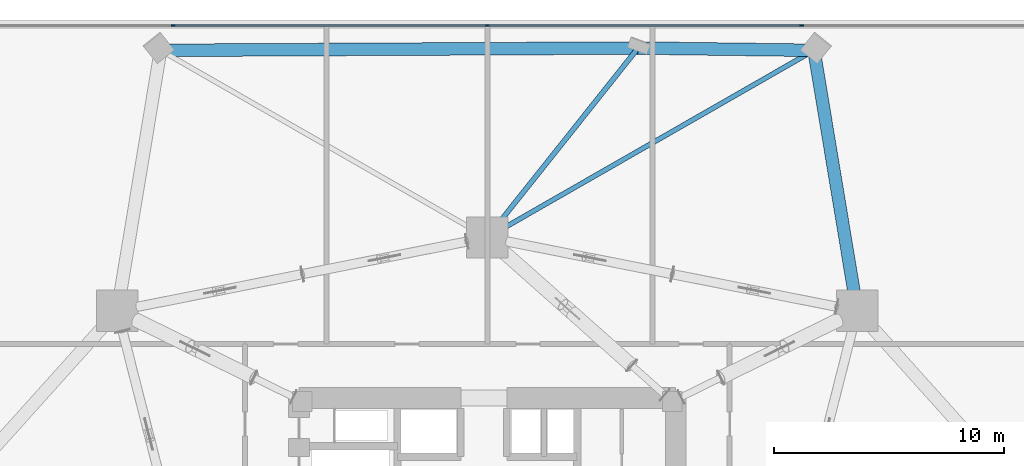
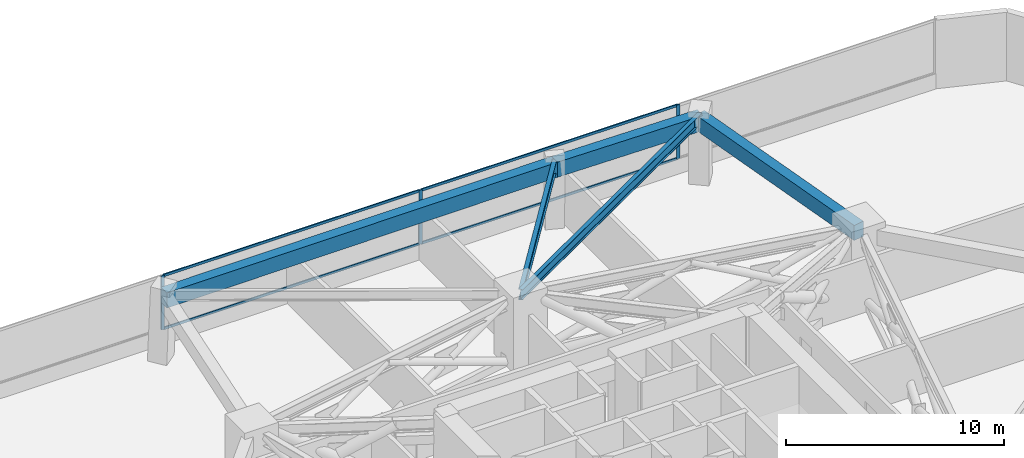
# One storey, part 13 of 20: 7 members, 5 beams, 1 element without a shape of its own.
"""IFC4 building model written with IfcOpenShell, lengths in metres."""

import ifcopenshell
import ifcopenshell.guid

model = None  # the IFC model being written
_history = None  # IfcOwnerHistory: only IFC2X3 demands one
_inside = {}  # id of a spatial element -> (the spatial element, [elements in it])
_under = {}  # id of a project, library or spatial element -> (it, [spatial elements below it])
_declared = {}  # id of a project -> (the project, [libraries it declares])
_typed = {}  # id of a type object -> (the type object, [elements of that type])
_made_of = {}  # id of a material, layer set ... -> (it, [elements and type objects made of it])


def new_model(schema):
    """Start an empty IFC model of exactly this schema.

    Asked for "IFC4X3", IfcOpenShell would pick the latest addendum, in which some entities
    have other attributes; the version numbers below select the first issue.
    IFC2X3 requires an IfcOwnerHistory on every rooted entity: one is made here for all.
    """
    global model, _history
    if schema == "IFC4X3":
        model = ifcopenshell.file(schema_version=(4, 3, 0, 0))
    else:
        model = ifcopenshell.file(schema=schema)
    _inside.clear()
    _under.clear()
    _declared.clear()
    _typed.clear()
    _made_of.clear()
    _history = None
    if model.schema == "IFC2X3":
        org = make("IfcOrganization", Name="unknown")
        user = make(
            "IfcPersonAndOrganization",
            ThePerson=make("IfcPerson", FamilyName="unknown"),
            TheOrganization=org,
        )
        app = make(
            "IfcApplication",
            ApplicationDeveloper=org,
            Version="unknown",
            ApplicationFullName="unknown",
            ApplicationIdentifier="unknown",
        )
        _history = make(
            "IfcOwnerHistory",
            OwningUser=user,
            OwningApplication=app,
            ChangeAction="ADDED",
            CreationDate=0,
        )
    return model


def make(cls, **values):
    """One entity of the class cls with the attributes given. An attribute that is None is left unset."""
    return model.create_entity(
        cls, **{name: value for name, value in values.items() if value is not None}
    )


def rooted(cls, **values):
    """An entity with a GlobalId (a new one), such as an element, a storey or a relation."""
    return make(cls, GlobalId=ifcopenshell.guid.new(), OwnerHistory=_history, **values)


def si_unit(unit_type, name, prefix=None):
    """IfcSIUnit, for example si_unit("LENGTHUNIT", "METRE", prefix="MILLI")."""
    return make("IfcSIUnit", UnitType=unit_type, Prefix=prefix, Name=name)


def assignment(units):
    """IfcUnitAssignment: the units of a project."""
    return None if units is None else make("IfcUnitAssignment", Units=units)


def point(xyz):
    """IfcCartesianPoint."""
    return None if xyz is None else make("IfcCartesianPoint", Coordinates=xyz)


def direction(xyz):
    """IfcDirection."""
    return None if xyz is None else make("IfcDirection", DirectionRatios=xyz)


def frame(location, z_axis=None, x_axis=None):
    """IfcAxis2Placement3D, a coordinate frame: its origin and axes. An axis left out is left unset."""
    return make(
        "IfcAxis2Placement3D",
        Location=point(location),
        Axis=direction(z_axis),
        RefDirection=direction(x_axis),
    )


def frame_2d(location, x_axis=None):
    """IfcAxis2Placement2D, a coordinate frame in the plane: its origin and x axis."""
    return make(
        "IfcAxis2Placement2D", Location=point(location), RefDirection=direction(x_axis)
    )


def origin():
    """The frame at (0, 0, 0) with its axes left unset."""
    return frame((0.0, 0.0, 0.0))


def origin_2d():
    """The frame at (0, 0) in the plane with its x axis left unset."""
    return frame_2d((0.0, 0.0))


def place(relative_to, where):
    """IfcLocalPlacement: puts the frame where relative to a parent placement (None: the world)."""
    return make(
        "IfcLocalPlacement", PlacementRelTo=relative_to, RelativePlacement=where
    )


def context(
    kind, dimensions, precision=None, world=None, true_north=None, identifier=None
):
    """IfcGeometricRepresentationContext, for example the 3D "Model" context."""
    return make(
        "IfcGeometricRepresentationContext",
        ContextIdentifier=identifier,
        ContextType=kind,
        CoordinateSpaceDimension=dimensions,
        Precision=precision,
        WorldCoordinateSystem=world,
        TrueNorth=true_north,
    )


def subcontext(parent, identifier, kind, view, scale=None):
    """IfcGeometricRepresentationSubContext, for example "Body" below "Model"."""
    return make(
        "IfcGeometricRepresentationSubContext",
        ContextIdentifier=identifier,
        ContextType=kind,
        ParentContext=parent,
        TargetScale=scale,
        TargetView=view,
    )


def project(units=None, contexts=None):
    """IfcProject with its units and contexts."""
    return rooted(
        "IfcProject",
        Name="project",
        RepresentationContexts=contexts,
        UnitsInContext=assignment(units),
    )


def spatial(cls, under=None, at=None, **own):
    """A site, building, storey or space (cls), placed at a placement, below another one or the project."""
    s = rooted(cls, ObjectPlacement=at, **own)
    if under is not None:
        _under.setdefault(under.id(), (under, []))[1].append(s)
    return s


def profile(cls, at=None, kind="AREA", **sizes):
    """A parametric profile (cls). Its sizes go by their IFC names, for example OverallWidth=200.0."""
    return make(cls, ProfileType=kind, Position=at, **sizes)


def rectangle(**sizes):
    """IfcRectangleProfileDef."""
    return profile("IfcRectangleProfileDef", **sizes)


def i_section(**sizes):
    """IfcIShapeProfileDef."""
    return profile("IfcIShapeProfileDef", **sizes)


def extrude(swept, where, along, depth):
    """IfcExtrudedAreaSolid: the profile swept, set in the frame where, extruded along a direction by depth."""
    return make(
        "IfcExtrudedAreaSolid",
        SweptArea=swept,
        Position=where,
        ExtrudedDirection=direction(along),
        Depth=depth,
    )


def shape(context_of_items, identifier, shape_type, items):
    """IfcShapeRepresentation: the items that make up one representation, for example the "Body"."""
    return make(
        "IfcShapeRepresentation",
        ContextOfItems=context_of_items,
        RepresentationIdentifier=identifier,
        RepresentationType=shape_type,
        Items=items,
    )


def material(Name=None, Category=None):
    """IfcMaterial."""
    return make("IfcMaterial", Name=Name, Category=Category)


def layer(
    of_material, thickness, ventilated=None, Name=None, Category=None, Priority=None
):
    """IfcMaterialLayer: one layer of a wall or slab, of a material (None: an air gap)."""
    return make(
        "IfcMaterialLayer",
        Material=of_material,
        LayerThickness=thickness,
        IsVentilated=ventilated,
        Name=Name,
        Category=Category,
        Priority=Priority,
    )


def layer_set(layers, Name=None):
    """IfcMaterialLayerSet."""
    return make("IfcMaterialLayerSet", MaterialLayers=layers, LayerSetName=Name)


def material_profile(
    of_material, cross_section, Name=None, Category=None, Priority=None
):
    """IfcMaterialProfile: a cross section and its material."""
    return make(
        "IfcMaterialProfile",
        Name=Name,
        Material=of_material,
        Profile=cross_section,
        Priority=Priority,
        Category=Category,
    )


def profile_set(profiles, Name=None, composite=None):
    """IfcMaterialProfileSet."""
    return make(
        "IfcMaterialProfileSet",
        Name=Name,
        MaterialProfiles=profiles,
        CompositeProfile=composite,
    )


def made_of(thing, what):
    """Note that an element or type object is made of a material, layer set ...; save() writes the relation."""
    if what is not None:
        _made_of.setdefault(what.id(), (what, []))[1].append(thing)
    return thing


def type_object(cls, material=None, **own):
    """A type object (cls), such as IfcWallType, which elements share."""
    return made_of(rooted(cls, **own), material)


def element(
    cls,
    number,
    at=None,
    inside=None,
    cuts=None,
    type_object=None,
    material=None,
    context=None,
    identifier="Body",
    shape_type=None,
    held_by="IfcProductDefinitionShape",
    body=None,
    shapes=None,
    **own,
):
    """One element of the class cls, such as IfcWall. Its Tag is "e" and its number.

    at: its placement. inside: the storey or other place that contains it. cuts: it is an
    opening in that element (IfcRelVoidsElement). A single representation is given by context,
    identifier, shape_type and body (its items); several are given by shapes. held_by: the class
    of the entity that holds the representations. save() writes the other relations.
    """
    e = rooted(cls, Tag="e%d" % number, ObjectPlacement=at, **own)
    if body is not None:
        shapes = [shape(context, identifier, shape_type, body)]
    if shapes is not None:
        e.Representation = make(held_by, Representations=shapes)
    if inside is not None:
        _inside.setdefault(inside.id(), (inside, []))[1].append(e)
    if cuts is not None:
        rooted(
            "IfcRelVoidsElement", RelatingBuildingElement=cuts, RelatedOpeningElement=e
        )
    if type_object is not None:
        _typed.setdefault(type_object.id(), (type_object, []))[1].append(e)
    return made_of(e, material)


def aggregate(whole, parts):
    """IfcRelAggregates: a whole, such as a stair, and the parts it consists of."""
    return rooted("IfcRelAggregates", RelatingObject=whole, RelatedObjects=parts)


def save(model, path):
    """Write the relations noted so far, then the file.

    IfcRelAggregates (storeys below a building ...), IfcRelContainedInSpatialStructure (elements
    in a storey), IfcRelDefinesByType, IfcRelAssociatesMaterial and IfcRelDeclares: one each for
    every whole, place, type object, material and project.
    """
    for whole, parts in _under.values():
        aggregate(whole, parts)
    for where, things in _inside.values():
        rooted(
            "IfcRelContainedInSpatialStructure",
            RelatedElements=things,
            RelatingStructure=where,
        )
    for kind, things in _typed.values():
        rooted("IfcRelDefinesByType", RelatedObjects=things, RelatingType=kind)
    for what, things in _made_of.values():
        rooted("IfcRelAssociatesMaterial", RelatedObjects=things, RelatingMaterial=what)
    for by, libraries in _declared.values():
        rooted("IfcRelDeclares", RelatingContext=by, RelatedDefinitions=libraries)
    model.write(path)


model = new_model("IFC4")

# Units and contexts
model_context = context("Model", 3, precision=1e-05, world=origin(), true_north=direction((0.0, 1.0)))
body_context = subcontext(model_context, "Body", "Model", "MODEL_VIEW")
ifc_project = project(units=[si_unit("LENGTHUNIT", "METRE"), si_unit("AREAUNIT", "SQUARE_METRE"), si_unit("VOLUMEUNIT", "CUBIC_METRE"), si_unit("PLANEANGLEUNIT", "RADIAN"), si_unit("MASSUNIT", "GRAM", prefix="KILO")], contexts=[model_context])

# Site, building, storey
site_placement = place(None, origin())
site = spatial("IfcSite", under=ifc_project, at=site_placement, CompositionType="ELEMENT")
building_placement = place(site_placement, origin())
building = spatial("IfcBuilding", under=site, at=building_placement, Name="Talyreon Biosciences Tower", CompositionType="ELEMENT")
storey_placement = place(building_placement, frame((0.0, 0.0, 66.60009765625)))
storey = spatial("IfcBuildingStorey", under=building, at=storey_placement, Name="L17", CompositionType="ELEMENT", Elevation=66.60009765625)

# Curtain wall, members
ifc_material_1 = material(Name="Thermally broken aluminium and low-E glazing", Category="aluminium")
ifc_layer = layer(ifc_material_1, 0.195068359375)
ifc_layer_set = layer_set([ifc_layer], Name="Thermally broken aluminium and low-E glazing")
curtain_wall_type = type_object("IfcCurtainWallType", Name="CurtainWall_Zone1WetLab", PredefinedType="NOTDEFINED", material=ifc_layer_set)
curtain_wall_placement = place(storey_placement, origin())
curtain_wall = element("IfcCurtainWall", 1, at=curtain_wall_placement, inside=storey, type_object=curtain_wall_type, Name="L17 Unitised Curtain Wall FCW-L17-04", PredefinedType="NOTDEFINED")
ifc_material_2 = material(Name="Anodised thermally broken aluminium", Category="aluminium")
ifc_material_profile_1 = material_profile(ifc_material_2, rectangle(XDim=0.06494140625, YDim=0.179931640625, at=origin_2d()), Name="ALUM MULLION 65x180")
ifc_profile_set_1 = profile_set([ifc_material_profile_1], Name="Anodised thermally broken aluminium")
member_type_1 = type_object("IfcMemberType", Name="CWMullion_65x180", PredefinedType="MULLION", material=ifc_profile_set_1)
member_1_placement = place(storey_placement, frame((52.324951171875, 91.007080078125, 0.809814453125), z_axis=(0.0, 0.0, 1.0), x_axis=(0.0, 1.0, 0.0)))
member_1 = element("IfcMember", 2, at=member_1_placement, type_object=member_type_1, Name="CW2 mullion 2", PredefinedType="MULLION", context=body_context, shape_type="SweptSolid", body=[
    extrude(rectangle(XDim=0.06494140625, YDim=0.179931640625, at=origin_2d()), origin(), (0.0, 0.0, 1.0), 3.0400390625),
])
member_2_placement = place(storey_placement, frame((66.0, 91.007080078125, 0.809814453125), z_axis=(0.0, 0.0, 1.0), x_axis=(0.0, 1.0, 0.0)))
member_2 = element("IfcMember", 3, at=member_2_placement, type_object=member_type_1, Name="CW2 mullion 3", PredefinedType="MULLION", context=body_context, shape_type="SweptSolid", body=[
    extrude(rectangle(XDim=0.06494140625, YDim=0.179931640625, at=origin_2d()), origin(), (0.0, 0.0, 1.0), 3.0400390625),
])
member_3_placement = place(storey_placement, frame((79.675048828125, 91.007080078125, 0.809814453125), z_axis=(0.0, 0.0, 1.0), x_axis=(0.0, 1.0, 0.0)))
member_3 = element("IfcMember", 4, at=member_3_placement, type_object=member_type_1, Name="CW2 mullion 4", PredefinedType="MULLION", context=body_context, shape_type="SweptSolid", body=[
    extrude(rectangle(XDim=0.06494140625, YDim=0.179931640625, at=origin_2d()), origin(), (0.0, 0.0, 1.0), 3.0400390625),
])
ifc_material_profile_2 = material_profile(ifc_material_2, rectangle(XDim=0.06494140625, YDim=0.139892578125, at=origin_2d()), Name="ALUM TRANSOM 65x140")
ifc_profile_set_2 = profile_set([ifc_material_profile_2], Name="Anodised thermally broken aluminium")
member_type_2 = type_object("IfcMemberType", Name="CWTransom_65x140", PredefinedType="USERDEFINED", material=ifc_profile_set_2)
member_4_placement = place(storey_placement, frame((52.357421875, 91.007080078125, 0.84228515625), z_axis=(1.0, 0.0, 0.0), x_axis=(0.0, 1.0, 0.0)))
member_4 = element("IfcMember", 5, at=member_4_placement, type_object=member_type_2, Name="CW2 transom 2.1", ObjectType="TRANSOM", PredefinedType="USERDEFINED", context=body_context, shape_type="SweptSolid", body=[
    extrude(rectangle(XDim=0.06494140625, YDim=0.139892578125, at=origin_2d()), origin(), (0.0, 0.0, 1.0), 13.610107421875),
])
member_5_placement = place(storey_placement, frame((52.357421875, 91.007080078125, 3.8173828125), z_axis=(1.0, 0.0, 0.0), x_axis=(0.0, 1.0, 0.0)))
member_5 = element("IfcMember", 6, at=member_5_placement, type_object=member_type_2, Name="CW2 transom 2.2", ObjectType="TRANSOM", PredefinedType="USERDEFINED", context=body_context, shape_type="SweptSolid", body=[
    extrude(rectangle(XDim=0.06494140625, YDim=0.139892578125, at=origin_2d()), origin(), (0.0, 0.0, 1.0), 13.610107421875),
])
member_6_placement = place(storey_placement, frame((66.032470703125, 91.007080078125, 0.84228515625), z_axis=(1.0, 0.0, 0.0), x_axis=(0.0, 1.0, 0.0)))
member_6 = element("IfcMember", 7, at=member_6_placement, type_object=member_type_2, Name="CW2 transom 3.1", ObjectType="TRANSOM", PredefinedType="USERDEFINED", context=body_context, shape_type="SweptSolid", body=[
    extrude(rectangle(XDim=0.06494140625, YDim=0.139892578125, at=origin_2d()), origin(), (0.0, 0.0, 1.0), 13.610107421875),
])
member_7_placement = place(storey_placement, frame((66.032470703125, 91.007080078125, 3.8173828125), z_axis=(1.0, 0.0, 0.0), x_axis=(0.0, 1.0, 0.0)))
member_7 = element("IfcMember", 8, at=member_7_placement, type_object=member_type_2, Name="CW2 transom 3.2", ObjectType="TRANSOM", PredefinedType="USERDEFINED", context=body_context, shape_type="SweptSolid", body=[
    extrude(rectangle(XDim=0.06494140625, YDim=0.139892578125, at=origin_2d()), origin(), (0.0, 0.0, 1.0), 13.610107421875),
])
aggregate(curtain_wall, [member_1, member_2, member_3, member_4, member_5, member_6, member_7])

# Beams
ifc_material_3 = material(Name="Precast concrete C45/55", Category="concrete")
ifc_material_profile_3 = material_profile(ifc_material_3, rectangle(XDim=0.550048828125, YDim=0.85009765625, at=origin_2d()), Name="RCB 550x850")
ifc_profile_set_3 = profile_set([ifc_material_profile_3], Name="Precast concrete C45/55")
beam_type_1 = type_object("IfcBeamType", Name="ExpressedSpandrel_550x850", PredefinedType="SPANDREL", material=ifc_profile_set_3)
beam_1_placement = place(storey_placement, frame((82.102294921875, 78.5986328125, 3.4248046875), z_axis=(-0.163606661322, 0.986525651147, 0.0), x_axis=(-0.986525651147, -0.163606661322, 0.0)))
element("IfcBeam", 9, at=beam_1_placement, inside=storey, type_object=beam_type_1, Name="L17 Expressed Horizontal Concrete Spandrel 05", PredefinedType="SPANDREL", context=body_context, shape_type="SweptSolid", body=[
    extrude(rectangle(XDim=0.550048828125, YDim=0.85009765625, at=origin_2d()), origin(), (0.0, 0.0, 1.0), 11.4931640625),
])
beam_2_placement = place(storey_placement, frame((80.221923828125, 89.93701171875, 3.4248046875), z_axis=(-0.999914584615, 0.013069945474, 0.0), x_axis=(-0.013069945474, -0.999914584615, 0.0)))
element("IfcBeam", 10, at=beam_2_placement, inside=storey, type_object=beam_type_1, Name="L17 Expressed Horizontal Concrete Spandrel 06", PredefinedType="SPANDREL", context=body_context, shape_type="SweptSolid", body=[
    extrude(rectangle(XDim=0.550048828125, YDim=0.85009765625, at=origin_2d()), origin(), (0.0, 0.0, 1.0), 7.65869140625),
])
beam_3_placement = place(storey_placement, frame((72.56396484375, 90.037109375, 3.4248046875), z_axis=(-0.999988404938, -0.004815598563, 0.0), x_axis=(0.004815598563, -0.999988404938, 0.0)))
element("IfcBeam", 11, at=beam_3_placement, inside=storey, type_object=beam_type_1, Name="L17 Expressed Horizontal Concrete Spandrel 07", PredefinedType="SPANDREL", context=body_context, shape_type="SweptSolid", body=[
    extrude(rectangle(XDim=0.550048828125, YDim=0.85009765625, at=origin_2d()), origin(), (0.0, 0.0, 1.0), 20.7861328125),
])
ifc_material_4 = material(Name="Steel SM355", Category="steel")
ifc_material_profile_4 = material_profile(ifc_material_4, i_section(OverallWidth=0.2099609375, OverallDepth=0.550048828125, WebThickness=0.010986328125, FlangeThickness=0.01708984375, FilletRadius=0.02392578125, at=origin_2d()), Name="IPE550")
ifc_profile_set_4 = profile_set([ifc_material_profile_4], Name="Steel SM355")
beam_type_2 = type_object("IfcBeamType", Name="SteelJoist_IPE550", PredefinedType="JOIST", material=ifc_profile_set_4)
beam_4_placement = place(storey_placement, frame((66.0, 81.788818359375, 3.574951171875), z_axis=(0.867680698624, 0.497121921902, 0.0), x_axis=(-0.497121921902, 0.867680698624, 0.0)))
element("IfcBeam", 12, at=beam_4_placement, inside=storey, type_object=beam_type_2, Name="L17 Radial Composite Floor Joist PC-N1", PredefinedType="JOIST", context=body_context, shape_type="SweptSolid", body=[
    extrude(i_section(OverallWidth=0.2099609375, OverallDepth=0.550048828125, WebThickness=0.010986328125, FlangeThickness=0.01708984375, FilletRadius=0.02392578125, at=origin_2d()), origin(), (0.0, 0.0, 1.0), 16.390625),
])
ifc_material_profile_5 = material_profile(ifc_material_4, i_section(OverallWidth=0.219970703125, OverallDepth=0.60009765625, WebThickness=0.011962890625, FlangeThickness=0.01904296875, FilletRadius=0.02392578125, at=origin_2d()), Name="IPE600")
ifc_profile_set_5 = profile_set([ifc_material_profile_5], Name="Steel SM355")
beam_type_3 = type_object("IfcBeamType", Name="SteelJoist_IPE600", PredefinedType="JOIST", material=ifc_profile_set_5)
beam_5_placement = place(storey_placement, frame((66.0, 81.788818359375, 3.5498046875), z_axis=(0.622687645123, 0.782470508461, 0.0), x_axis=(-0.782470508461, 0.622687645123, 0.0)))
element("IfcBeam", 13, at=beam_5_placement, inside=storey, type_object=beam_type_3, Name="L17 Radial Composite Floor Joist PL-N", PredefinedType="JOIST", context=body_context, shape_type="SweptSolid", body=[
    extrude(i_section(OverallWidth=0.219970703125, OverallDepth=0.60009765625, WebThickness=0.011962890625, FlangeThickness=0.01904296875, FilletRadius=0.02392578125, at=origin_2d()), origin(), (0.0, 0.0, 1.0), 10.541259765625),
])

save(model, "model.ifc")
